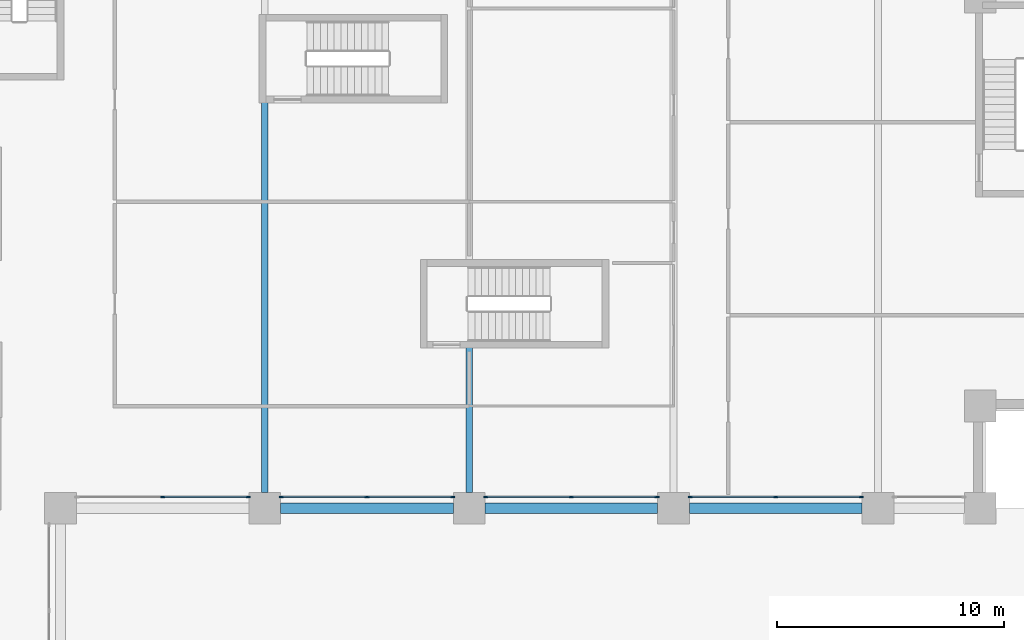
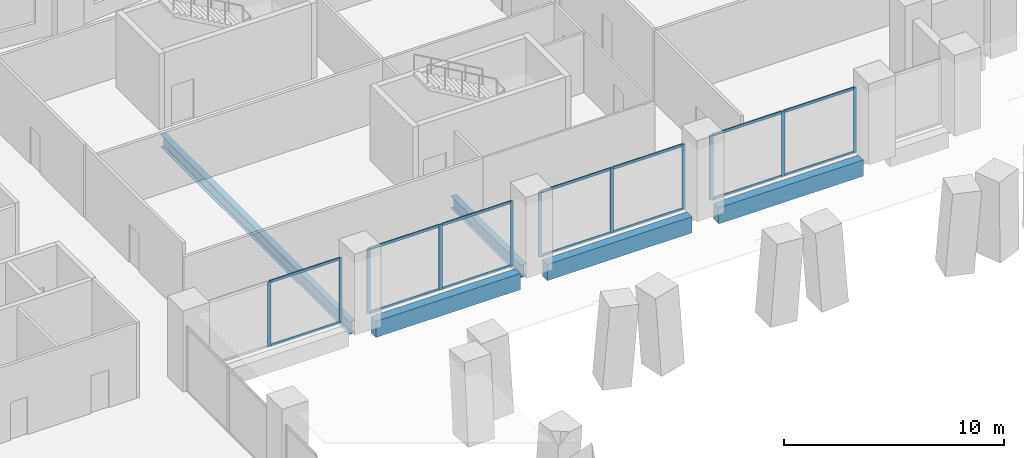
# One storey, part 6 of 18: 25 members, 5 beams, 4 elements without a shape of their own.
"""IFC4 building model written with IfcOpenShell, lengths in metres."""

from ifc_helpers import new_model, si_unit, direction, frame, origin, origin_2d, place, context, subcontext, project, spatial, rectangle, i_section, extrude, material, material_profile, profile_set, type_object, element, aggregate, save


model = new_model("IFC4")

# Units and contexts
model_context = context("Model", 3, precision=1e-05, world=origin(), true_north=direction((0.0, 1.0)))
body_context = subcontext(model_context, "Body", "Model", "MODEL_VIEW")
ifc_project = project(units=[si_unit("LENGTHUNIT", "METRE"), si_unit("AREAUNIT", "SQUARE_METRE"), si_unit("VOLUMEUNIT", "CUBIC_METRE"), si_unit("PLANEANGLEUNIT", "RADIAN"), si_unit("MASSUNIT", "GRAM", prefix="KILO")], contexts=[model_context])

# Site, building, storey
site_placement = place(None, origin())
site = spatial("IfcSite", under=ifc_project, at=site_placement, CompositionType="ELEMENT")
building_placement = place(site_placement, origin())
building = spatial("IfcBuilding", under=site, at=building_placement, Name="Brondeck Convention Tower", CompositionType="ELEMENT")
storey_placement = place(building_placement, frame((0.0, 0.0, 27.5)))
storey = spatial("IfcBuildingStorey", under=building, at=storey_placement, Name="L04", CompositionType="ELEMENT", Elevation=27.5)

# Curtain wall, members
ifc_material_1 = material(Name="Aluminium, bronze anodised", Category="aluminium")
curtain_wall_type = type_object("IfcCurtainWallType", Name="Podium hall curtain wall", PredefinedType="NOTDEFINED", material=ifc_material_1)
curtain_wall_1_placement = place(storey_placement, origin())
curtain_wall_1 = element("IfcCurtainWall", 1, at=curtain_wall_1_placement, inside=storey, type_object=curtain_wall_type, Name="ENV-CW2-L04-A-S-01", PredefinedType="NOTDEFINED")
ifc_material_profile_1 = material_profile(ifc_material_1, rectangle(XDim=0.06005859375, YDim=0.179931640625, at=origin_2d()), Name="CW2 mullion")
ifc_profile_set_1 = profile_set([ifc_material_profile_1], Name="Aluminium, bronze anodised")
member_type_1 = type_object("IfcMemberType", Name="CW2 mullion", PredefinedType="MULLION", material=ifc_profile_set_1)
member_1_placement = place(storey_placement, frame((35.27001953125, 36.5, 0.0), z_axis=(0.0, 0.0, 1.0), x_axis=(0.0, -1.0, 0.0)))
member_1 = element("IfcMember", 2, at=member_1_placement, type_object=member_type_1, Name="CW2 mullion 1", PredefinedType="MULLION", context=body_context, shape_type="SweptSolid", body=[
    extrude(rectangle(XDim=0.06005859375, YDim=0.179931640625, at=origin_2d()), origin(), (0.0, 0.0, 1.0), 3.60009765625),
])
member_2_placement = place(storey_placement, frame((31.5, 36.5, 0.0), z_axis=(0.0, 0.0, 1.0), x_axis=(0.0, -1.0, 0.0)))
member_2 = element("IfcMember", 3, at=member_2_placement, type_object=member_type_1, Name="CW2 mullion 2", PredefinedType="MULLION", context=body_context, shape_type="SweptSolid", body=[
    extrude(rectangle(XDim=0.06005859375, YDim=0.179931640625, at=origin_2d()), origin(), (0.0, 0.0, 1.0), 3.60009765625),
])

curtain_wall_2_placement = place(storey_placement, origin())
curtain_wall_2 = element("IfcCurtainWall", 4, at=curtain_wall_2_placement, inside=storey, type_object=curtain_wall_type, Name="ENV-CW2-L04-A-S-03", PredefinedType="NOTDEFINED")
member_3_placement = place(storey_placement, frame((44.27001953125, 36.5, 0.0), z_axis=(0.0, 0.0, 1.0), x_axis=(0.0, -1.0, 0.0)))
member_3 = element("IfcMember", 5, at=member_3_placement, type_object=member_type_1, Name="CW2 mullion 1", PredefinedType="MULLION", context=body_context, shape_type="SweptSolid", body=[
    extrude(rectangle(XDim=0.06005859375, YDim=0.179931640625, at=origin_2d()), origin(), (0.0, 0.0, 1.0), 3.60009765625),
])
member_4_placement = place(storey_placement, frame((40.5, 36.5, 0.0), z_axis=(0.0, 0.0, 1.0), x_axis=(0.0, -1.0, 0.0)))
member_4 = element("IfcMember", 6, at=member_4_placement, type_object=member_type_1, Name="CW2 mullion 2", PredefinedType="MULLION", context=body_context, shape_type="SweptSolid", body=[
    extrude(rectangle(XDim=0.06005859375, YDim=0.179931640625, at=origin_2d()), origin(), (0.0, 0.0, 1.0), 3.60009765625),
])
member_5_placement = place(storey_placement, frame((36.72998046875, 36.5, 0.0), z_axis=(0.0, 0.0, 1.0), x_axis=(0.0, -1.0, 0.0)))
member_5 = element("IfcMember", 7, at=member_5_placement, type_object=member_type_1, Name="CW2 mullion 3", PredefinedType="MULLION", context=body_context, shape_type="SweptSolid", body=[
    extrude(rectangle(XDim=0.06005859375, YDim=0.179931640625, at=origin_2d()), origin(), (0.0, 0.0, 1.0), 3.60009765625),
])

curtain_wall_3_placement = place(storey_placement, origin())
curtain_wall_3 = element("IfcCurtainWall", 8, at=curtain_wall_3_placement, inside=storey, type_object=curtain_wall_type, Name="ENV-CW2-L04-A-S-05", PredefinedType="NOTDEFINED")
member_6_placement = place(storey_placement, frame((53.27001953125, 36.5, 0.0), z_axis=(0.0, 0.0, 1.0), x_axis=(0.0, -1.0, 0.0)))
member_6 = element("IfcMember", 9, at=member_6_placement, type_object=member_type_1, Name="CW2 mullion 1", PredefinedType="MULLION", context=body_context, shape_type="SweptSolid", body=[
    extrude(rectangle(XDim=0.06005859375, YDim=0.179931640625, at=origin_2d()), origin(), (0.0, 0.0, 1.0), 3.60009765625),
])
member_7_placement = place(storey_placement, frame((49.5, 36.5, 0.0), z_axis=(0.0, 0.0, 1.0), x_axis=(0.0, -1.0, 0.0)))
member_7 = element("IfcMember", 10, at=member_7_placement, type_object=member_type_1, Name="CW2 mullion 2", PredefinedType="MULLION", context=body_context, shape_type="SweptSolid", body=[
    extrude(rectangle(XDim=0.06005859375, YDim=0.179931640625, at=origin_2d()), origin(), (0.0, 0.0, 1.0), 3.60009765625),
])
member_8_placement = place(storey_placement, frame((45.72998046875, 36.5, 0.0), z_axis=(0.0, 0.0, 1.0), x_axis=(0.0, -1.0, 0.0)))
member_8 = element("IfcMember", 11, at=member_8_placement, type_object=member_type_1, Name="CW2 mullion 3", PredefinedType="MULLION", context=body_context, shape_type="SweptSolid", body=[
    extrude(rectangle(XDim=0.06005859375, YDim=0.179931640625, at=origin_2d()), origin(), (0.0, 0.0, 1.0), 3.60009765625),
])

curtain_wall_4_placement = place(storey_placement, origin())
curtain_wall_4 = element("IfcCurtainWall", 12, at=curtain_wall_4_placement, inside=storey, type_object=curtain_wall_type, Name="ENV-CW2-L04-A-S-07", PredefinedType="NOTDEFINED")
member_9_placement = place(storey_placement, frame((62.27001953125, 36.5, 0.0), z_axis=(0.0, 0.0, 1.0), x_axis=(0.0, -1.0, 0.0)))
member_9 = element("IfcMember", 13, at=member_9_placement, type_object=member_type_1, Name="CW2 mullion 1", PredefinedType="MULLION", context=body_context, shape_type="SweptSolid", body=[
    extrude(rectangle(XDim=0.06005859375, YDim=0.179931640625, at=origin_2d()), origin(), (0.0, 0.0, 1.0), 3.60009765625),
])
member_10_placement = place(storey_placement, frame((58.5, 36.5, 0.0), z_axis=(0.0, 0.0, 1.0), x_axis=(0.0, -1.0, 0.0)))
member_10 = element("IfcMember", 14, at=member_10_placement, type_object=member_type_1, Name="CW2 mullion 2", PredefinedType="MULLION", context=body_context, shape_type="SweptSolid", body=[
    extrude(rectangle(XDim=0.06005859375, YDim=0.179931640625, at=origin_2d()), origin(), (0.0, 0.0, 1.0), 3.60009765625),
])
member_11_placement = place(storey_placement, frame((54.72998046875, 36.5, 0.0), z_axis=(0.0, 0.0, 1.0), x_axis=(0.0, -1.0, 0.0)))
member_11 = element("IfcMember", 15, at=member_11_placement, type_object=member_type_1, Name="CW2 mullion 3", PredefinedType="MULLION", context=body_context, shape_type="SweptSolid", body=[
    extrude(rectangle(XDim=0.06005859375, YDim=0.179931640625, at=origin_2d()), origin(), (0.0, 0.0, 1.0), 3.60009765625),
])

# Member
ifc_material_profile_2 = material_profile(ifc_material_1, rectangle(XDim=0.06005859375, YDim=0.139892578125, at=origin_2d()), Name="CW2 transom")
ifc_profile_set_2 = profile_set([ifc_material_profile_2], Name="Aluminium, bronze anodised")
member_type_2 = type_object("IfcMemberType", Name="CW2 transom", PredefinedType="USERDEFINED", material=ifc_profile_set_2)
member_12_placement = place(storey_placement, frame((35.239990234375, 36.5, 0.030029296875), z_axis=(-1.0, 0.0, 0.0), x_axis=(0.0, -1.0, 0.0)))
member_12 = element("IfcMember", 16, at=member_12_placement, type_object=member_type_2, Name="CW2 transom 1.1", ObjectType="TRANSOM", PredefinedType="USERDEFINED", context=body_context, shape_type="SweptSolid", body=[
    extrude(rectangle(XDim=0.06005859375, YDim=0.139892578125, at=origin_2d()), origin(), (0.0, 0.0, 1.0), 3.7099609375),
])

member_13_placement = place(storey_placement, frame((35.239990234375, 36.5, 3.570068359375), z_axis=(-1.0, 0.0, 0.0), x_axis=(0.0, -1.0, 0.0)))
member_13 = element("IfcMember", 17, at=member_13_placement, type_object=member_type_2, Name="CW2 transom 1.2", ObjectType="TRANSOM", PredefinedType="USERDEFINED", context=body_context, shape_type="SweptSolid", body=[
    extrude(rectangle(XDim=0.06005859375, YDim=0.139892578125, at=origin_2d()), origin(), (0.0, 0.0, 1.0), 3.7099609375),
])

aggregate(curtain_wall_1, [member_1, member_2, member_12, member_13])

member_14_placement = place(storey_placement, frame((44.239990234375, 36.5, 0.030029296875), z_axis=(-1.0, 0.0, 0.0), x_axis=(0.0, -1.0, 0.0)))
member_14 = element("IfcMember", 18, at=member_14_placement, type_object=member_type_2, Name="CW2 transom 1.1", ObjectType="TRANSOM", PredefinedType="USERDEFINED", context=body_context, shape_type="SweptSolid", body=[
    extrude(rectangle(XDim=0.06005859375, YDim=0.139892578125, at=origin_2d()), origin(), (0.0, 0.0, 1.0), 3.7099609375),
])

member_15_placement = place(storey_placement, frame((44.239990234375, 36.5, 3.570068359375), z_axis=(-1.0, 0.0, 0.0), x_axis=(0.0, -1.0, 0.0)))
member_15 = element("IfcMember", 19, at=member_15_placement, type_object=member_type_2, Name="CW2 transom 1.2", ObjectType="TRANSOM", PredefinedType="USERDEFINED", context=body_context, shape_type="SweptSolid", body=[
    extrude(rectangle(XDim=0.06005859375, YDim=0.139892578125, at=origin_2d()), origin(), (0.0, 0.0, 1.0), 3.7099609375),
])

member_16_placement = place(storey_placement, frame((40.469970703125, 36.5, 0.030029296875), z_axis=(-1.0, 0.0, 0.0), x_axis=(0.0, -1.0, 0.0)))
member_16 = element("IfcMember", 20, at=member_16_placement, type_object=member_type_2, Name="CW2 transom 2.1", ObjectType="TRANSOM", PredefinedType="USERDEFINED", context=body_context, shape_type="SweptSolid", body=[
    extrude(rectangle(XDim=0.06005859375, YDim=0.139892578125, at=origin_2d()), origin(), (0.0, 0.0, 1.0), 3.7099609375),
])

member_17_placement = place(storey_placement, frame((40.469970703125, 36.5, 3.570068359375), z_axis=(-1.0, 0.0, 0.0), x_axis=(0.0, -1.0, 0.0)))
member_17 = element("IfcMember", 21, at=member_17_placement, type_object=member_type_2, Name="CW2 transom 2.2", ObjectType="TRANSOM", PredefinedType="USERDEFINED", context=body_context, shape_type="SweptSolid", body=[
    extrude(rectangle(XDim=0.06005859375, YDim=0.139892578125, at=origin_2d()), origin(), (0.0, 0.0, 1.0), 3.7099609375),
])

aggregate(curtain_wall_2, [member_3, member_4, member_5, member_14, member_15, member_16, member_17])

member_18_placement = place(storey_placement, frame((53.239990234375, 36.5, 0.030029296875), z_axis=(-1.0, 0.0, 0.0), x_axis=(0.0, -1.0, 0.0)))
member_18 = element("IfcMember", 22, at=member_18_placement, type_object=member_type_2, Name="CW2 transom 1.1", ObjectType="TRANSOM", PredefinedType="USERDEFINED", context=body_context, shape_type="SweptSolid", body=[
    extrude(rectangle(XDim=0.06005859375, YDim=0.139892578125, at=origin_2d()), origin(), (0.0, 0.0, 1.0), 3.7099609375),
])

member_19_placement = place(storey_placement, frame((53.239990234375, 36.5, 3.570068359375), z_axis=(-1.0, 0.0, 0.0), x_axis=(0.0, -1.0, 0.0)))
member_19 = element("IfcMember", 23, at=member_19_placement, type_object=member_type_2, Name="CW2 transom 1.2", ObjectType="TRANSOM", PredefinedType="USERDEFINED", context=body_context, shape_type="SweptSolid", body=[
    extrude(rectangle(XDim=0.06005859375, YDim=0.139892578125, at=origin_2d()), origin(), (0.0, 0.0, 1.0), 3.7099609375),
])

member_20_placement = place(storey_placement, frame((49.469970703125, 36.5, 0.030029296875), z_axis=(-1.0, 0.0, 0.0), x_axis=(0.0, -1.0, 0.0)))
member_20 = element("IfcMember", 24, at=member_20_placement, type_object=member_type_2, Name="CW2 transom 2.1", ObjectType="TRANSOM", PredefinedType="USERDEFINED", context=body_context, shape_type="SweptSolid", body=[
    extrude(rectangle(XDim=0.06005859375, YDim=0.139892578125, at=origin_2d()), origin(), (0.0, 0.0, 1.0), 3.7099609375),
])

member_21_placement = place(storey_placement, frame((49.469970703125, 36.5, 3.570068359375), z_axis=(-1.0, 0.0, 0.0), x_axis=(0.0, -1.0, 0.0)))
member_21 = element("IfcMember", 25, at=member_21_placement, type_object=member_type_2, Name="CW2 transom 2.2", ObjectType="TRANSOM", PredefinedType="USERDEFINED", context=body_context, shape_type="SweptSolid", body=[
    extrude(rectangle(XDim=0.06005859375, YDim=0.139892578125, at=origin_2d()), origin(), (0.0, 0.0, 1.0), 3.7099609375),
])

aggregate(curtain_wall_3, [member_6, member_7, member_8, member_18, member_19, member_20, member_21])

member_22_placement = place(storey_placement, frame((62.239990234375, 36.5, 0.030029296875), z_axis=(-1.0, 0.0, 0.0), x_axis=(0.0, -1.0, 0.0)))
member_22 = element("IfcMember", 26, at=member_22_placement, type_object=member_type_2, Name="CW2 transom 1.1", ObjectType="TRANSOM", PredefinedType="USERDEFINED", context=body_context, shape_type="SweptSolid", body=[
    extrude(rectangle(XDim=0.06005859375, YDim=0.139892578125, at=origin_2d()), origin(), (0.0, 0.0, 1.0), 3.7099609375),
])

member_23_placement = place(storey_placement, frame((62.239990234375, 36.5, 3.570068359375), z_axis=(-1.0, 0.0, 0.0), x_axis=(0.0, -1.0, 0.0)))
member_23 = element("IfcMember", 27, at=member_23_placement, type_object=member_type_2, Name="CW2 transom 1.2", ObjectType="TRANSOM", PredefinedType="USERDEFINED", context=body_context, shape_type="SweptSolid", body=[
    extrude(rectangle(XDim=0.06005859375, YDim=0.139892578125, at=origin_2d()), origin(), (0.0, 0.0, 1.0), 3.7099609375),
])

member_24_placement = place(storey_placement, frame((58.469970703125, 36.5, 0.030029296875), z_axis=(-1.0, 0.0, 0.0), x_axis=(0.0, -1.0, 0.0)))
member_24 = element("IfcMember", 28, at=member_24_placement, type_object=member_type_2, Name="CW2 transom 2.1", ObjectType="TRANSOM", PredefinedType="USERDEFINED", context=body_context, shape_type="SweptSolid", body=[
    extrude(rectangle(XDim=0.06005859375, YDim=0.139892578125, at=origin_2d()), origin(), (0.0, 0.0, 1.0), 3.7099609375),
])

member_25_placement = place(storey_placement, frame((58.469970703125, 36.5, 3.570068359375), z_axis=(-1.0, 0.0, 0.0), x_axis=(0.0, -1.0, 0.0)))
member_25 = element("IfcMember", 29, at=member_25_placement, type_object=member_type_2, Name="CW2 transom 2.2", ObjectType="TRANSOM", PredefinedType="USERDEFINED", context=body_context, shape_type="SweptSolid", body=[
    extrude(rectangle(XDim=0.06005859375, YDim=0.139892578125, at=origin_2d()), origin(), (0.0, 0.0, 1.0), 3.7099609375),
])

aggregate(curtain_wall_4, [member_9, member_10, member_11, member_22, member_23, member_24, member_25])

# Beams
ifc_material_2 = material(Name="Concrete C80/95", Category="concrete")
ifc_material_profile_3 = material_profile(ifc_material_2, rectangle(XDim=0.449951171875, YDim=0.89990234375, at=origin_2d()), Name="Edge beam 450x900 Concrete C80/95")
ifc_profile_set_3 = profile_set([ifc_material_profile_3], Name="Concrete C80/95")
beam_type_1 = type_object("IfcBeamType", Name="Edge beam 450x900 Concrete C80/95", PredefinedType="BEAM", material=ifc_profile_set_3)
for number, where, z_axis, x_axis, name in (
    (30, (36.699951171875, 36.0, -0.449951171875), (1.0, 0.0, 0.0), (0.0, 1.0, 0.0), "STR-SP-L04-010"),
    (31, (45.699951171875, 36.0, -0.449951171875), (1.0, 0.0, 0.0), (0.0, 1.0, 0.0), "STR-SP-L04-011"),
    (32, (54.699951171875, 36.0, -0.449951171875), (1.0, 0.0, 0.0), (0.0, 1.0, 0.0), "STR-SP-L04-012"),
):
    element("IfcBeam", number, at=place(storey_placement, frame(where, z_axis=z_axis, x_axis=x_axis)), inside=storey, type_object=beam_type_1, Name=name, PredefinedType="BEAM", context=body_context, shape_type="SweptSolid", body=[
        extrude(rectangle(XDim=0.449951171875, YDim=0.89990234375, at=origin_2d()), origin(), (0.0, 0.0, 1.0), 7.60009765625),
    ])
ifc_material_3 = material(Name="Steel S355", Category="steel")
ifc_material_profile_4 = material_profile(ifc_material_3, i_section(OverallWidth=0.300048828125, OverallDepth=0.699951171875, WebThickness=0.01708984375, FlangeThickness=0.031982421875, FilletRadius=0.027099609375, at=origin_2d()), Name="HEB 700")
ifc_profile_set_4 = profile_set([ifc_material_profile_4], Name="Steel S355")
beam_type_2 = type_object("IfcBeamType", Name="Girder HEB 700", PredefinedType="BEAM", material=ifc_profile_set_4)
beam_1_placement = place(storey_placement, frame((36.0, 36.699951171875, -0.64990234375), z_axis=(0.0, 1.0, 0.0), x_axis=(-1.0, 0.0, 0.0)))
element("IfcBeam", 33, at=beam_1_placement, inside=storey, type_object=beam_type_2, Name="STR-GR-L04-001", PredefinedType="BEAM", context=body_context, shape_type="SweptSolid", body=[
    extrude(i_section(OverallWidth=0.300048828125, OverallDepth=0.699951171875, WebThickness=0.01708984375, FlangeThickness=0.031982421875, FilletRadius=0.027099609375, at=origin_2d()), origin(), (0.0, 0.0, 1.0), 17.179931640625),
])
beam_2_placement = place(storey_placement, frame((45.0, 36.699951171875, -0.64990234375), z_axis=(0.0, 1.0, 0.0), x_axis=(-1.0, 0.0, 0.0)))
element("IfcBeam", 34, at=beam_2_placement, inside=storey, type_object=beam_type_2, Name="STR-GR-L04-003", PredefinedType="BEAM", context=body_context, shape_type="SweptSolid", body=[
    extrude(i_section(OverallWidth=0.300048828125, OverallDepth=0.699951171875, WebThickness=0.01708984375, FlangeThickness=0.031982421875, FilletRadius=0.027099609375, at=origin_2d()), origin(), (0.0, 0.0, 1.0), 6.380126953125),
])

save(model, "model.ifc")
